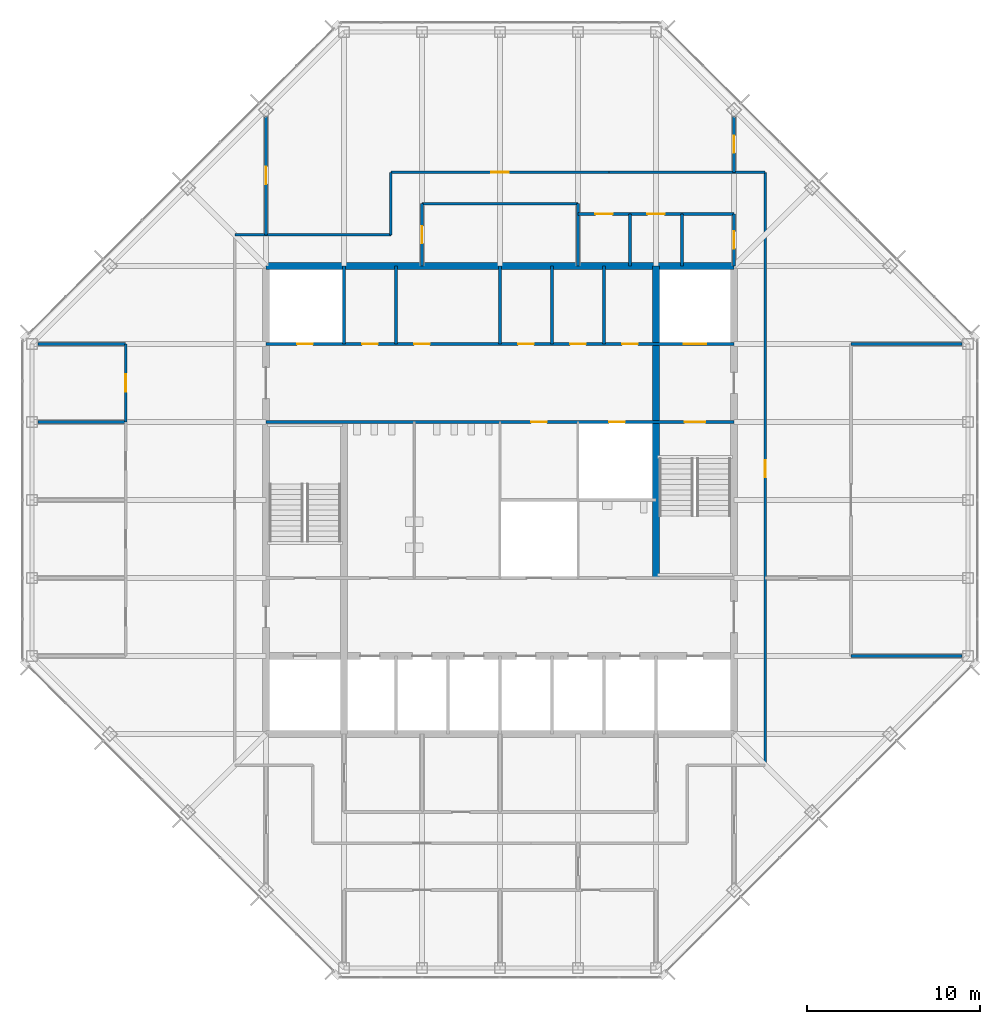
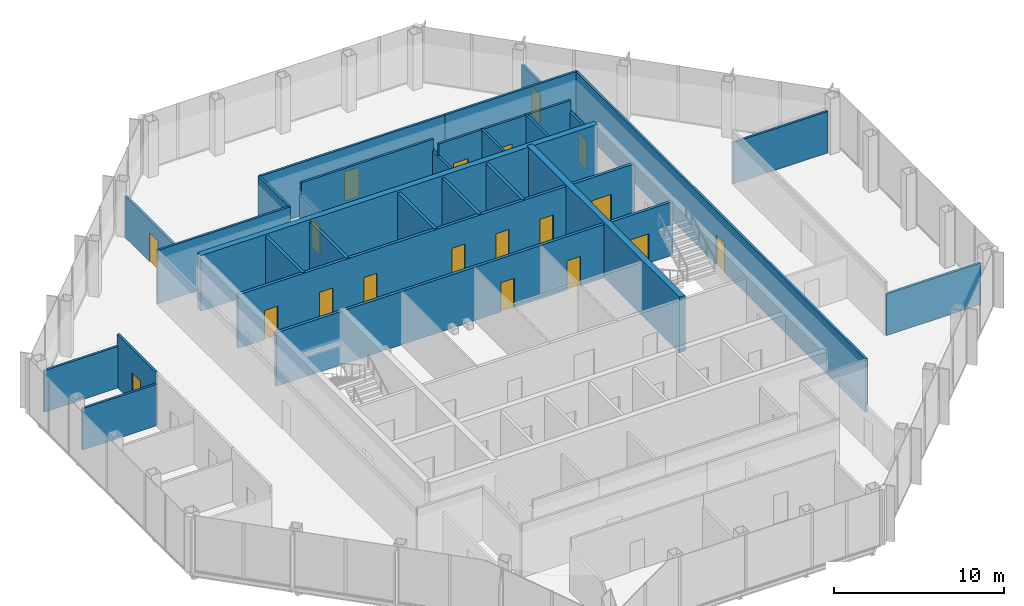
# One storey, part 11 of 14: 30 walls, 19 doors, 19 openings.
"""IFC4 building model written with IfcOpenShell, lengths in metres."""

from ifc_helpers import new_model, si_unit, direction, frame, frame_2d, origin, place, context, subcontext, project, spatial, rectangle, extrude, material, layer, layer_set, type_object, element, fill, save


model = new_model("IFC4")

# Units and contexts
model_context = context("Model", 3, precision=1e-05, world=origin(), true_north=direction((0.0, 1.0)))
body_context = subcontext(model_context, "Body", "Model", "MODEL_VIEW")
ifc_project = project(units=[si_unit("LENGTHUNIT", "METRE"), si_unit("AREAUNIT", "SQUARE_METRE"), si_unit("VOLUMEUNIT", "CUBIC_METRE"), si_unit("PLANEANGLEUNIT", "RADIAN"), si_unit("MASSUNIT", "GRAM", prefix="KILO")], contexts=[model_context])

# Site, building, storey
site_placement = place(None, origin())
site = spatial("IfcSite", under=ifc_project, at=site_placement, CompositionType="ELEMENT")
building_placement = place(site_placement, origin())
building = spatial("IfcBuilding", under=site, at=building_placement, Name="Corais Broadcast Tower", CompositionType="ELEMENT")
storey_placement = place(building_placement, frame((0.0, 0.0, 234.60009765625)))
storey = spatial("IfcBuildingStorey", under=building, at=storey_placement, Name="L54", CompositionType="ELEMENT", Elevation=234.60009765625)

# Wall
ifc_material_1 = material(Name="Concrete blockwork class A, grouted, two-hour", Category="masonry")
ifc_layer_1 = layer(ifc_material_1, 0.199951171875)
ifc_layer_set_1 = layer_set([ifc_layer_1], Name="Concrete blockwork class A, grouted, two-hour")
wall_type_1 = type_object("IfcWallType", Name="Core lobby wall 200", PredefinedType="SOLIDWALL", material=ifc_layer_set_1)
wall_1_placement = place(storey_placement, frame((18.0, 36.0, 0.0), z_axis=(0.0, 0.0, 1.0), x_axis=(0.0, 1.0, 0.0)))
element("IfcWall", 1, at=wall_1_placement, inside=storey, type_object=wall_type_1, Name="CL3 core shaft wall X18B L54", PredefinedType="SOLIDWALL", context=body_context, shape_type="SweptSolid", body=[
    extrude(rectangle(XDim=4.5, YDim=0.199951171875, at=frame_2d((2.25, 0.0))), origin(), (0.0, 0.0, 1.0), 3.83984375),
])

# Wall, openings, doors
wall_2_placement = place(storey_placement, frame((13.5, 31.5, 0.0), z_axis=(0.0, 0.0, 1.0), x_axis=(1.0, 0.0, 0.0)))
wall_2 = element("IfcWall", 2, at=wall_2_placement, inside=storey, type_object=wall_type_1, Name="CL3 core lobby wall Y315 L54", PredefinedType="SOLIDWALL", context=body_context, shape_type="SweptSolid", body=[
    extrude(rectangle(XDim=27.0, YDim=0.199951171875, at=frame_2d((13.5, 0.0))), origin(), (0.0, 0.0, 1.0), 3.83984375),
])
opening_1_placement = place(wall_2_placement, frame((24.14990234375, 0.0, 0.0)))
opening_1 = element("IfcOpeningElement", 3, at=opening_1_placement, cuts=wall_2, Name="Opening FD1", PredefinedType="OPENING", context=body_context, shape_type="SweptSolid", body=[
    extrude(rectangle(XDim=1.199951171875, YDim=2.10009765625, at=frame_2d((0.60009765625, 1.050048828125))), frame((0.0, 0.10986328125, 0.0), z_axis=(0.0, -1.0, 0.0), x_axis=(1.0, 0.0, 0.0)), (0.0, 0.0, 1.0), 0.219970703125),
])
opening_2_placement = place(wall_2_placement, frame((15.300048828125, 0.0, 0.0)))
opening_2 = element("IfcOpeningElement", 4, at=opening_2_placement, cuts=wall_2, Name="Opening RD1", PredefinedType="OPENING", context=body_context, shape_type="SweptSolid", body=[
    extrude(rectangle(XDim=0.89990234375, YDim=2.10009765625, at=frame_2d((0.449951171875, 1.050048828125))), frame((0.0, 0.10986328125, 0.0), z_axis=(0.0, -1.0, 0.0), x_axis=(1.0, 0.0, 0.0)), (0.0, 0.0, 1.0), 0.219970703125),
])
opening_3_placement = place(wall_2_placement, frame((19.800048828125, 0.0, 0.0)))
opening_3 = element("IfcOpeningElement", 5, at=opening_3_placement, cuts=wall_2, Name="Opening RD1", PredefinedType="OPENING", context=body_context, shape_type="SweptSolid", body=[
    extrude(rectangle(XDim=0.89990234375, YDim=2.10009765625, at=frame_2d((0.449951171875, 1.050048828125))), frame((0.0, 0.10986328125, 0.0), z_axis=(0.0, -1.0, 0.0), x_axis=(1.0, 0.0, 0.0)), (0.0, 0.0, 1.0), 0.219970703125),
])
ifc_material_2 = material(Name="Steel fire door", Category="steel")
door_type_1 = type_object("IfcDoorType", Name="Fire door 1200x2100", OperationType="SINGLE_SWING_LEFT", PredefinedType="DOOR", material=ifc_material_2)
door_1_placement = place(opening_1_placement, origin())
door_1 = element("IfcDoor", 6, at=door_1_placement, inside=storey, type_object=door_type_1, Name="FD1 stair B door L54", OperationType="SINGLE_SWING_RIGHT", OverallHeight=2.10009765625, OverallWidth=1.199951171875, PredefinedType="DOOR", context=body_context, shape_type="SweptSolid", body=[
    extrude(rectangle(XDim=1.199951171875, YDim=2.10009765625, at=frame_2d((0.60009765625, 1.050048828125))), frame((0.0, 0.02490234375, 0.0), z_axis=(0.0, -1.0, 0.0), x_axis=(1.0, 0.0, 0.0)), (0.0, 0.0, 1.0), 0.050048828125),
])
fill(opening_1, door_1)
ifc_material_3 = material(Name="Steel fire door", Category="steel")
door_type_2 = type_object("IfcDoorType", Name="Riser door 900x2100", OperationType="SINGLE_SWING_LEFT", PredefinedType="DOOR", material=ifc_material_3)
door_2_placement = place(opening_2_placement, origin())
door_2 = element("IfcDoor", 7, at=door_2_placement, inside=storey, type_object=door_type_2, Name="RD1 vending room door L54", OperationType="SINGLE_SWING_RIGHT", OverallHeight=2.10009765625, OverallWidth=0.89990234375, PredefinedType="DOOR", context=body_context, shape_type="SweptSolid", body=[
    extrude(rectangle(XDim=0.89990234375, YDim=2.10009765625, at=frame_2d((0.449951171875, 1.050048828125))), frame((0.0, 0.02490234375, 0.0), z_axis=(0.0, -1.0, 0.0), x_axis=(1.0, 0.0, 0.0)), (0.0, 0.0, 1.0), 0.050048828125),
])
fill(opening_2, door_2)
door_3_placement = place(opening_3_placement, origin())
door_3 = element("IfcDoor", 8, at=door_3_placement, inside=storey, type_object=door_type_2, Name="RD1 riser door L54", OperationType="SINGLE_SWING_RIGHT", OverallHeight=2.10009765625, OverallWidth=0.89990234375, PredefinedType="DOOR", context=body_context, shape_type="SweptSolid", body=[
    extrude(rectangle(XDim=0.89990234375, YDim=2.10009765625, at=frame_2d((0.449951171875, 1.050048828125))), frame((0.0, 0.02490234375, 0.0), z_axis=(0.0, -1.0, 0.0), x_axis=(1.0, 0.0, 0.0)), (0.0, 0.0, 1.0), 0.050048828125),
])
fill(opening_3, door_3)

# Walls
ifc_material_4 = material(Name="Concrete C50/60", Category="concrete")
ifc_layer_2 = layer(ifc_material_4, 0.39990234375)
ifc_layer_set_2 = layer_set([ifc_layer_2], Name="Concrete C50/60")
wall_type_2 = type_object("IfcWallType", Name="Core wall 400", PredefinedType="SHEAR", material=ifc_layer_set_2)
wall_3_placement = place(storey_placement, frame((40.5, 40.5, 0.0), z_axis=(0.0, 0.0, 1.0), x_axis=(-1.0, 0.0, 0.0)))
element("IfcWall", 9, at=wall_3_placement, inside=storey, type_object=wall_type_2, Name="CR400 core wall N L54", PredefinedType="SHEAR", context=body_context, shape_type="SweptSolid", body=[
    extrude(rectangle(XDim=27.0, YDim=0.39990234375, at=frame_2d((13.5, 0.0))), origin(), (0.0, 0.0, 1.0), 4.0),
])
wall_4_placement = place(storey_placement, frame((36.0, 22.5, 0.0), z_axis=(0.0, 0.0, 1.0), x_axis=(0.0, 1.0, 0.0)))
element("IfcWall", 10, at=wall_4_placement, inside=storey, type_object=wall_type_2, Name="CR400 core wall X36B L54", PredefinedType="SHEAR", context=body_context, shape_type="SweptSolid", body=[
    extrude(rectangle(XDim=18.0, YDim=0.39990234375, at=frame_2d((9.0, 0.0))), origin(), (0.0, 0.0, 1.0), 4.0),
])

# Wall, openings, doors
ifc_material_5 = material(Name="Concrete blockwork class A, grouted, four-hour", Category="masonry")
ifc_layer_3 = layer(ifc_material_5, 0.199951171875)
ifc_layer_set_3 = layer_set([ifc_layer_3], Name="Concrete blockwork class A, grouted, four-hour")
wall_type_3 = type_object("IfcWallType", Name="Emergency lift shaft wall 200", PredefinedType="SOLIDWALL", material=ifc_layer_set_3)
wall_5_placement = place(storey_placement, frame((13.5, 36.0, 0.0), z_axis=(0.0, 0.0, 1.0), x_axis=(1.0, 0.0, 0.0)))
wall_5 = element("IfcWall", 11, at=wall_5_placement, inside=storey, type_object=wall_type_3, Name="LS3 core lobby wall Y36 L54", PredefinedType="SOLIDWALL", context=body_context, shape_type="SweptSolid", body=[
    extrude(rectangle(XDim=27.0, YDim=0.199951171875, at=frame_2d((13.5, 0.0))), origin(), (0.0, 0.0, 1.0), 3.83984375),
])
opening_4_placement = place(wall_5_placement, frame((1.800048828125, 0.0, 0.0)))
opening_4 = element("IfcOpeningElement", 12, at=opening_4_placement, cuts=wall_5, Name="Opening RD1", PredefinedType="OPENING", context=body_context, shape_type="SweptSolid", body=[
    extrude(rectangle(XDim=0.89990234375, YDim=2.10009765625, at=frame_2d((0.449951171875, 1.050048828125))), frame((0.0, 0.10986328125, 0.0), z_axis=(0.0, -1.0, 0.0), x_axis=(1.0, 0.0, 0.0)), (0.0, 0.0, 1.0), 0.219970703125),
])
opening_5_placement = place(wall_5_placement, frame((5.550048828125, 0.0, 0.0)))
opening_5 = element("IfcOpeningElement", 13, at=opening_5_placement, cuts=wall_5, Name="Opening RD1", PredefinedType="OPENING", context=body_context, shape_type="SweptSolid", body=[
    extrude(rectangle(XDim=0.89990234375, YDim=2.10009765625, at=frame_2d((0.449951171875, 1.050048828125))), frame((0.0, 0.10986328125, 0.0), z_axis=(0.0, -1.0, 0.0), x_axis=(1.0, 0.0, 0.0)), (0.0, 0.0, 1.0), 0.219970703125),
])
opening_6_placement = place(wall_5_placement, frame((8.550048828125, 0.0, 0.0)))
opening_6 = element("IfcOpeningElement", 14, at=opening_6_placement, cuts=wall_5, Name="Opening RD1", PredefinedType="OPENING", context=body_context, shape_type="SweptSolid", body=[
    extrude(rectangle(XDim=0.89990234375, YDim=2.10009765625, at=frame_2d((0.449951171875, 1.050048828125))), frame((0.0, 0.10986328125, 0.0), z_axis=(0.0, -1.0, 0.0), x_axis=(1.0, 0.0, 0.0)), (0.0, 0.0, 1.0), 0.219970703125),
])
opening_7_placement = place(wall_5_placement, frame((14.550048828125, 0.0, 0.0)))
opening_7 = element("IfcOpeningElement", 15, at=opening_7_placement, cuts=wall_5, Name="Opening RD1", PredefinedType="OPENING", context=body_context, shape_type="SweptSolid", body=[
    extrude(rectangle(XDim=0.89990234375, YDim=2.10009765625, at=frame_2d((0.449951171875, 1.050048828125))), frame((0.0, 0.10986328125, 0.0), z_axis=(0.0, -1.0, 0.0), x_axis=(1.0, 0.0, 0.0)), (0.0, 0.0, 1.0), 0.219970703125),
])
opening_8_placement = place(wall_5_placement, frame((17.550048828125, 0.0, 0.0)))
opening_8 = element("IfcOpeningElement", 16, at=opening_8_placement, cuts=wall_5, Name="Opening RD1", PredefinedType="OPENING", context=body_context, shape_type="SweptSolid", body=[
    extrude(rectangle(XDim=0.89990234375, YDim=2.10009765625, at=frame_2d((0.449951171875, 1.050048828125))), frame((0.0, 0.10986328125, 0.0), z_axis=(0.0, -1.0, 0.0), x_axis=(1.0, 0.0, 0.0)), (0.0, 0.0, 1.0), 0.219970703125),
])
opening_9_placement = place(wall_5_placement, frame((20.550048828125, 0.0, 0.0)))
opening_9 = element("IfcOpeningElement", 17, at=opening_9_placement, cuts=wall_5, Name="Opening RD1", PredefinedType="OPENING", context=body_context, shape_type="SweptSolid", body=[
    extrude(rectangle(XDim=0.89990234375, YDim=2.10009765625, at=frame_2d((0.449951171875, 1.050048828125))), frame((0.0, 0.10986328125, 0.0), z_axis=(0.0, -1.0, 0.0), x_axis=(1.0, 0.0, 0.0)), (0.0, 0.0, 1.0), 0.219970703125),
])
opening_10_placement = place(wall_5_placement, frame((24.10009765625, 0.0, 0.0)))
opening_10 = element("IfcOpeningElement", 18, at=opening_10_placement, cuts=wall_5, Name="Opening LD2", PredefinedType="OPENING", context=body_context, shape_type="SweptSolid", body=[
    extrude(rectangle(XDim=1.300048828125, YDim=2.199951171875, at=frame_2d((0.64990234375, 1.10009765625))), frame((0.0, 0.10986328125, 0.0), z_axis=(0.0, -1.0, 0.0), x_axis=(1.0, 0.0, 0.0)), (0.0, 0.0, 1.0), 0.219970703125),
])
ifc_material_6 = material(Name="Stainless steel lift door", Category="steel")
door_type_3 = type_object("IfcDoorType", Name="Lift landing door 1300x2200", OperationType="SLIDING_TO_LEFT", PredefinedType="DOOR", material=ifc_material_6)
door_4_placement = place(opening_10_placement, origin())
door_4 = element("IfcDoor", 19, at=door_4_placement, inside=storey, type_object=door_type_3, Name="LD2 FL2 landing door L54", OperationType="SLIDING_TO_LEFT", OverallHeight=2.199951171875, OverallWidth=1.300048828125, PredefinedType="DOOR", context=body_context, shape_type="SweptSolid", body=[
    extrude(rectangle(XDim=1.300048828125, YDim=2.199951171875, at=frame_2d((0.64990234375, 1.10009765625))), frame((0.0, 0.02490234375, 0.0), z_axis=(0.0, -1.0, 0.0), x_axis=(1.0, 0.0, 0.0)), (0.0, 0.0, 1.0), 0.050048828125),
])
fill(opening_10, door_4)
door_5_placement = place(opening_4_placement, origin())
door_5 = element("IfcDoor", 20, at=door_5_placement, inside=storey, type_object=door_type_2, Name="RD1 riser door L54", OperationType="SINGLE_SWING_LEFT", OverallHeight=2.10009765625, OverallWidth=0.89990234375, PredefinedType="DOOR", context=body_context, shape_type="SweptSolid", body=[
    extrude(rectangle(XDim=0.89990234375, YDim=2.10009765625, at=frame_2d((0.449951171875, 1.050048828125))), frame((0.0, 0.02490234375, 0.0), z_axis=(0.0, -1.0, 0.0), x_axis=(1.0, 0.0, 0.0)), (0.0, 0.0, 1.0), 0.050048828125),
])
fill(opening_4, door_5)
door_6_placement = place(opening_5_placement, origin())
door_6 = element("IfcDoor", 21, at=door_6_placement, inside=storey, type_object=door_type_2, Name="RD1 media store door L54", OperationType="SINGLE_SWING_LEFT", OverallHeight=2.10009765625, OverallWidth=0.89990234375, PredefinedType="DOOR", context=body_context, shape_type="SweptSolid", body=[
    extrude(rectangle(XDim=0.89990234375, YDim=2.10009765625, at=frame_2d((0.449951171875, 1.050048828125))), frame((0.0, 0.02490234375, 0.0), z_axis=(0.0, -1.0, 0.0), x_axis=(1.0, 0.0, 0.0)), (0.0, 0.0, 1.0), 0.050048828125),
])
fill(opening_5, door_6)
door_7_placement = place(opening_6_placement, origin())
door_7 = element("IfcDoor", 22, at=door_7_placement, inside=storey, type_object=door_type_2, Name="RD1 tea point door L54", OperationType="SINGLE_SWING_LEFT", OverallHeight=2.10009765625, OverallWidth=0.89990234375, PredefinedType="DOOR", context=body_context, shape_type="SweptSolid", body=[
    extrude(rectangle(XDim=0.89990234375, YDim=2.10009765625, at=frame_2d((0.449951171875, 1.050048828125))), frame((0.0, 0.02490234375, 0.0), z_axis=(0.0, -1.0, 0.0), x_axis=(1.0, 0.0, 0.0)), (0.0, 0.0, 1.0), 0.050048828125),
])
fill(opening_6, door_7)
door_8_placement = place(opening_7_placement, origin())
door_8 = element("IfcDoor", 23, at=door_8_placement, inside=storey, type_object=door_type_2, Name="RD1 locker room door L54", OperationType="SINGLE_SWING_RIGHT", OverallHeight=2.10009765625, OverallWidth=0.89990234375, PredefinedType="DOOR", context=body_context, shape_type="SweptSolid", body=[
    extrude(rectangle(XDim=0.89990234375, YDim=2.10009765625, at=frame_2d((0.449951171875, 1.050048828125))), frame((0.0, 0.02490234375, 0.0), z_axis=(0.0, -1.0, 0.0), x_axis=(1.0, 0.0, 0.0)), (0.0, 0.0, 1.0), 0.050048828125),
])
fill(opening_7, door_8)
door_9_placement = place(opening_8_placement, origin())
door_9 = element("IfcDoor", 24, at=door_9_placement, inside=storey, type_object=door_type_2, Name="RD1 print room door L54", OperationType="SINGLE_SWING_RIGHT", OverallHeight=2.10009765625, OverallWidth=0.89990234375, PredefinedType="DOOR", context=body_context, shape_type="SweptSolid", body=[
    extrude(rectangle(XDim=0.89990234375, YDim=2.10009765625, at=frame_2d((0.449951171875, 1.050048828125))), frame((0.0, 0.02490234375, 0.0), z_axis=(0.0, -1.0, 0.0), x_axis=(1.0, 0.0, 0.0)), (0.0, 0.0, 1.0), 0.050048828125),
])
fill(opening_8, door_9)
door_10_placement = place(opening_9_placement, origin())
door_10 = element("IfcDoor", 25, at=door_10_placement, inside=storey, type_object=door_type_2, Name="RD1 wellness room door L54", OperationType="SINGLE_SWING_RIGHT", OverallHeight=2.10009765625, OverallWidth=0.89990234375, PredefinedType="DOOR", context=body_context, shape_type="SweptSolid", body=[
    extrude(rectangle(XDim=0.89990234375, YDim=2.10009765625, at=frame_2d((0.449951171875, 1.050048828125))), frame((0.0, 0.02490234375, 0.0), z_axis=(0.0, -1.0, 0.0), x_axis=(1.0, 0.0, 0.0)), (0.0, 0.0, 1.0), 0.050048828125),
])
fill(opening_9, door_10)

# Wall, opening, door
ifc_material_7 = material(Name="Gypsum board on steel studs", Category="steel")
ifc_layer_4 = layer(ifc_material_7, 0.14990234375)
ifc_layer_set_4 = layer_set([ifc_layer_4], Name="Gypsum board on steel studs")
wall_type_4 = type_object("IfcWallType", Name="Partition 150", PredefinedType="PARTITIONING", material=ifc_layer_set_4)
wall_6_placement = place(storey_placement, frame((42.300048828125, 11.699951171875, 0.0), z_axis=(0.0, 0.0, 1.0), x_axis=(0.0, 1.0, 0.0)))
wall_6 = element("IfcWall", 26, at=wall_6_placement, inside=storey, type_object=wall_type_4, Name="IW3 corridor wall L54", PredefinedType="PARTITIONING", context=body_context, shape_type="SweptSolid", body=[
    extrude(rectangle(XDim=34.199951171875, YDim=0.14990234375, at=frame_2d((17.10009765625, 0.0))), origin(), (0.0, 0.0, 1.0), 3.83984375),
])
opening_11_placement = place(wall_6_placement, frame((16.60009765625, 0.0, 0.0)))
opening_11 = element("IfcOpeningElement", 27, at=opening_11_placement, cuts=wall_6, Name="Opening D1", PredefinedType="OPENING", context=body_context, shape_type="SweptSolid", body=[
    extrude(rectangle(XDim=1.0, YDim=2.10009765625, at=frame_2d((0.5, 1.050048828125))), frame((0.0, 0.0849609375, 0.0), z_axis=(0.0, -1.0, 0.0), x_axis=(1.0, 0.0, 0.0)), (0.0, 0.0, 1.0), 0.169921875),
])
ifc_material_8 = material(Name="Timber door", Category="wood")
door_type_4 = type_object("IfcDoorType", Name="Single door 1000x2100", OperationType="SINGLE_SWING_LEFT", PredefinedType="DOOR", material=ifc_material_8)
door_11_placement = place(opening_11_placement, origin())
door_11 = element("IfcDoor", 28, at=door_11_placement, inside=storey, type_object=door_type_4, Name="D1 workplace door L54", OperationType="SINGLE_SWING_LEFT", OverallHeight=2.10009765625, OverallWidth=1.0, PredefinedType="DOOR", context=body_context, shape_type="SweptSolid", body=[
    extrude(rectangle(XDim=1.0, YDim=2.10009765625, at=frame_2d((0.5, 1.050048828125))), frame((0.0, 0.02490234375, 0.0), z_axis=(0.0, -1.0, 0.0), x_axis=(1.0, 0.0, 0.0)), (0.0, 0.0, 1.0), 0.050048828125),
])
fill(opening_11, door_11)

wall_7_placement = place(storey_placement, frame((33.300048828125, 45.89990234375, 0.0), z_axis=(0.0, 0.0, 1.0), x_axis=(-1.0, 0.0, 0.0)))
wall_7 = element("IfcWall", 29, at=wall_7_placement, inside=storey, type_object=wall_type_4, Name="IW3 corridor wall L54", PredefinedType="PARTITIONING", context=body_context, shape_type="SweptSolid", body=[
    extrude(rectangle(XDim=12.60009765625, YDim=0.14990234375, at=frame_2d((6.300048828125, 0.0))), origin(), (0.0, 0.0, 1.0), 3.83984375),
])
opening_12_placement = place(wall_7_placement, frame((5.800048828125, 0.0, 0.0)))
opening_12 = element("IfcOpeningElement", 30, at=opening_12_placement, cuts=wall_7, Name="Opening D1", PredefinedType="OPENING", context=body_context, shape_type="SweptSolid", body=[
    extrude(rectangle(XDim=1.0, YDim=2.10009765625, at=frame_2d((0.5, 1.050048828125))), frame((0.0, 0.0849609375, 0.0), z_axis=(0.0, -1.0, 0.0), x_axis=(1.0, 0.0, 0.0)), (0.0, 0.0, 1.0), 0.169921875),
])
door_12_placement = place(opening_12_placement, origin())
door_12 = element("IfcDoor", 31, at=door_12_placement, inside=storey, type_object=door_type_4, Name="D1 workplace door L54", OperationType="SINGLE_SWING_LEFT", OverallHeight=2.10009765625, OverallWidth=1.0, PredefinedType="DOOR", context=body_context, shape_type="SweptSolid", body=[
    extrude(rectangle(XDim=1.0, YDim=2.10009765625, at=frame_2d((0.5, 1.050048828125))), frame((0.0, 0.02490234375, 0.0), z_axis=(0.0, -1.0, 0.0), x_axis=(1.0, 0.0, 0.0)), (0.0, 0.0, 1.0), 0.050048828125),
])
fill(opening_12, door_12)

# Walls
for number, where, z_axis, x_axis, name in (
    (32, (20.699951171875, 42.300048828125, 0.0), (0.0, 0.0, 1.0), (-1.0, 0.0, 0.0), "IW3 corridor wall L54"),
    (33, (42.300048828125, 45.89990234375, 0.0), (0.0, 0.0, 1.0), (-1.0, 0.0, 0.0), "IW3 corridor wall L54"),
):
    element("IfcWall", number, at=place(storey_placement, frame(where, z_axis=z_axis, x_axis=x_axis)), inside=storey, type_object=wall_type_4, Name=name, PredefinedType="PARTITIONING", context=body_context, shape_type="SweptSolid", body=[
        extrude(rectangle(XDim=9.0, YDim=0.14990234375, at=frame_2d((4.5, 0.0))), origin(), (0.0, 0.0, 1.0), 3.83984375),
    ])
wall_8_placement = place(storey_placement, frame((20.699951171875, 45.89990234375, 0.0), z_axis=(0.0, 0.0, 1.0), x_axis=(0.0, -1.0, 0.0)))
element("IfcWall", 34, at=wall_8_placement, inside=storey, type_object=wall_type_4, Name="IW3 corridor wall L54", PredefinedType="PARTITIONING", context=body_context, shape_type="SweptSolid", body=[
    extrude(rectangle(XDim=3.599853515625, YDim=0.14990234375, at=frame_2d((1.7998046875, 0.0))), origin(), (0.0, 0.0, 1.0), 3.83984375),
])
for number, where, z_axis, x_axis, name in (
    (35, (47.25, 18.0, 0.0), (0.0, 0.0, 1.0), (1.0, 0.0, 0.0), "IW3 partition L54"),
    (36, (53.6650390625, 36.0, 0.0), (0.0, 0.0, 1.0), (-1.0, 0.0, 0.0), "IW3 partition L54"),
):
    element("IfcWall", number, at=place(storey_placement, frame(where, z_axis=z_axis, x_axis=x_axis)), inside=storey, type_object=wall_type_4, Name=name, PredefinedType="PARTITIONING", context=body_context, shape_type="SweptSolid", body=[
        extrude(rectangle(XDim=6.4150390625, YDim=0.14990234375, at=frame_2d((3.20751953125, 0.0))), origin(), (0.0, 0.0, 1.0), 2.989013671875),
    ])
wall_9_placement = place(storey_placement, frame((31.5, 40.5, 0.0), z_axis=(0.0, 0.0, 1.0), x_axis=(0.0, 1.0, 0.0)))
element("IfcWall", 37, at=wall_9_placement, inside=storey, type_object=wall_type_4, Name="IW3 partition L54", PredefinedType="PARTITIONING", context=body_context, shape_type="SweptSolid", body=[
    extrude(rectangle(XDim=3.60009765625, YDim=0.14990234375, at=frame_2d((1.800048828125, 0.0))), origin(), (0.0, 0.0, 1.0), 2.989013671875),
])
wall_10_placement = place(storey_placement, frame((31.5, 44.10009765625, 0.0), z_axis=(0.0, 0.0, 1.0), x_axis=(-1.0, 0.0, 0.0)))
element("IfcWall", 38, at=wall_10_placement, inside=storey, type_object=wall_type_4, Name="IW3 partition L54", PredefinedType="PARTITIONING", context=body_context, shape_type="SweptSolid", body=[
    extrude(rectangle(XDim=9.0, YDim=0.14990234375, at=frame_2d((4.5, 0.0))), origin(), (0.0, 0.0, 1.0), 3.83984375),
])

# Wall, opening, door
wall_11_placement = place(storey_placement, frame((22.5, 44.10009765625, 0.0), z_axis=(0.0, 0.0, 1.0), x_axis=(0.0, -1.0, 0.0)))
wall_11 = element("IfcWall", 39, at=wall_11_placement, inside=storey, type_object=wall_type_4, Name="IW3 partition L54", PredefinedType="PARTITIONING", context=body_context, shape_type="SweptSolid", body=[
    extrude(rectangle(XDim=3.60009765625, YDim=0.14990234375, at=frame_2d((1.800048828125, 0.0))), origin(), (0.0, 0.0, 1.0), 2.989013671875),
])
opening_13_placement = place(wall_11_placement, frame((1.300048828125, 0.0, 0.0)))
opening_13 = element("IfcOpeningElement", 40, at=opening_13_placement, cuts=wall_11, Name="Opening D1", PredefinedType="OPENING", context=body_context, shape_type="SweptSolid", body=[
    extrude(rectangle(XDim=1.0, YDim=2.10009765625, at=frame_2d((0.5, 1.050048828125))), frame((0.0, 0.0849609375, 0.0), z_axis=(0.0, -1.0, 0.0), x_axis=(1.0, 0.0, 0.0)), (0.0, 0.0, 1.0), 0.169921875),
])
door_13_placement = place(opening_13_placement, origin())
door_13 = element("IfcDoor", 41, at=door_13_placement, inside=storey, type_object=door_type_4, Name="D1 Pantry door", OperationType="SINGLE_SWING_LEFT", OverallHeight=2.10009765625, OverallWidth=1.0, PredefinedType="DOOR", context=body_context, shape_type="SweptSolid", body=[
    extrude(rectangle(XDim=1.0, YDim=2.10009765625, at=frame_2d((0.5, 1.050048828125))), frame((0.0, 0.02490234375, 0.0), z_axis=(0.0, -1.0, 0.0), x_axis=(1.0, 0.0, 0.0)), (0.0, 0.0, 1.0), 0.050048828125),
])
fill(opening_13, door_13)

# Wall
wall_12_placement = place(storey_placement, frame((5.39990234375, 31.5, 0.0), z_axis=(0.0, 0.0, 1.0), x_axis=(-1.0, 0.0, 0.0)))
element("IfcWall", 42, at=wall_12_placement, inside=storey, type_object=wall_type_4, Name="IW3 partition L54", PredefinedType="PARTITIONING", context=body_context, shape_type="SweptSolid", body=[
    extrude(rectangle(XDim=5.06494140625, YDim=0.14990234375, at=frame_2d((2.532470703125, 0.0))), origin(), (0.0, 0.0, 1.0), 2.989013671875),
])

# Wall, opening, door
wall_13_placement = place(storey_placement, frame((5.39990234375, 31.5, 0.0), z_axis=(0.0, 0.0, 1.0), x_axis=(0.0, 1.0, 0.0)))
wall_13 = element("IfcWall", 43, at=wall_13_placement, inside=storey, type_object=wall_type_4, Name="IW3 partition L54", PredefinedType="PARTITIONING", context=body_context, shape_type="SweptSolid", body=[
    extrude(rectangle(XDim=4.5, YDim=0.14990234375, at=frame_2d((2.25, 0.0))), origin(), (0.0, 0.0, 1.0), 3.83984375),
])
opening_14_placement = place(wall_13_placement, frame((1.75, 0.0, 0.0)))
opening_14 = element("IfcOpeningElement", 44, at=opening_14_placement, cuts=wall_13, Name="Opening D1", PredefinedType="OPENING", context=body_context, shape_type="SweptSolid", body=[
    extrude(rectangle(XDim=1.0, YDim=2.10009765625, at=frame_2d((0.5, 1.050048828125))), frame((0.0, 0.0849609375, 0.0), z_axis=(0.0, -1.0, 0.0), x_axis=(1.0, 0.0, 0.0)), (0.0, 0.0, 1.0), 0.169921875),
])
door_14_placement = place(opening_14_placement, origin())
door_14 = element("IfcDoor", 45, at=door_14_placement, inside=storey, type_object=door_type_4, Name="D1 Focus room door", OperationType="SINGLE_SWING_LEFT", OverallHeight=2.10009765625, OverallWidth=1.0, PredefinedType="DOOR", context=body_context, shape_type="SweptSolid", body=[
    extrude(rectangle(XDim=1.0, YDim=2.10009765625, at=frame_2d((0.5, 1.050048828125))), frame((0.0, 0.02490234375, 0.0), z_axis=(0.0, -1.0, 0.0), x_axis=(1.0, 0.0, 0.0)), (0.0, 0.0, 1.0), 0.050048828125),
])
fill(opening_14, door_14)

# Walls
wall_14_placement = place(storey_placement, frame((5.39990234375, 36.0, 0.0), z_axis=(0.0, 0.0, 1.0), x_axis=(-1.0, 0.0, 0.0)))
element("IfcWall", 46, at=wall_14_placement, inside=storey, type_object=wall_type_4, Name="IW3 partition L54", PredefinedType="PARTITIONING", context=body_context, shape_type="SweptSolid", body=[
    extrude(rectangle(XDim=5.06494140625, YDim=0.14990234375, at=frame_2d((2.532470703125, 0.0))), origin(), (0.0, 0.0, 1.0), 2.989013671875),
])
wall_15_placement = place(storey_placement, frame((34.5, 40.5, 0.0), z_axis=(0.0, 0.0, 1.0), x_axis=(0.0, 1.0, 0.0)))
element("IfcWall", 47, at=wall_15_placement, inside=storey, type_object=wall_type_4, Name="IW3 partition L54", PredefinedType="PARTITIONING", context=body_context, shape_type="SweptSolid", body=[
    extrude(rectangle(XDim=3.0, YDim=0.14990234375, at=frame_2d((1.5, 0.0))), origin(), (0.0, 0.0, 1.0), 3.83984375),
])

# Wall, opening, door
wall_16_placement = place(storey_placement, frame((34.5, 43.5, 0.0), z_axis=(0.0, 0.0, 1.0), x_axis=(-1.0, 0.0, 0.0)))
wall_16 = element("IfcWall", 48, at=wall_16_placement, inside=storey, type_object=wall_type_4, Name="IW3 partition L54", PredefinedType="PARTITIONING", context=body_context, shape_type="SweptSolid", body=[
    extrude(rectangle(XDim=3.0, YDim=0.14990234375, at=frame_2d((1.5, 0.0))), origin(), (0.0, 0.0, 1.0), 3.83984375),
])
opening_15_placement = place(wall_16_placement, frame((1.0, 0.0, 0.0)))
opening_15 = element("IfcOpeningElement", 49, at=opening_15_placement, cuts=wall_16, Name="Opening D1", PredefinedType="OPENING", context=body_context, shape_type="SweptSolid", body=[
    extrude(rectangle(XDim=1.0, YDim=2.10009765625, at=frame_2d((0.5, 1.050048828125))), frame((0.0, 0.0849609375, 0.0), z_axis=(0.0, -1.0, 0.0), x_axis=(1.0, 0.0, 0.0)), (0.0, 0.0, 1.0), 0.169921875),
])
door_15_placement = place(opening_15_placement, origin())
door_15 = element("IfcDoor", 50, at=door_15_placement, inside=storey, type_object=door_type_4, Name="D1 Quiet room door", OperationType="SINGLE_SWING_LEFT", OverallHeight=2.10009765625, OverallWidth=1.0, PredefinedType="DOOR", context=body_context, shape_type="SweptSolid", body=[
    extrude(rectangle(XDim=1.0, YDim=2.10009765625, at=frame_2d((0.5, 1.050048828125))), frame((0.0, 0.02490234375, 0.0), z_axis=(0.0, -1.0, 0.0), x_axis=(1.0, 0.0, 0.0)), (0.0, 0.0, 1.0), 0.050048828125),
])
fill(opening_15, door_15)

# Wall
wall_17_placement = place(storey_placement, frame((37.5, 40.5, 0.0), z_axis=(0.0, 0.0, 1.0), x_axis=(0.0, 1.0, 0.0)))
element("IfcWall", 51, at=wall_17_placement, inside=storey, type_object=wall_type_4, Name="IW3 partition L54", PredefinedType="PARTITIONING", context=body_context, shape_type="SweptSolid", body=[
    extrude(rectangle(XDim=3.0, YDim=0.14990234375, at=frame_2d((1.5, 0.0))), origin(), (0.0, 0.0, 1.0), 3.83984375),
])

# Wall, opening, door
wall_18_placement = place(storey_placement, frame((37.5, 43.5, 0.0), z_axis=(0.0, 0.0, 1.0), x_axis=(-1.0, 0.0, 0.0)))
wall_18 = element("IfcWall", 52, at=wall_18_placement, inside=storey, type_object=wall_type_4, Name="IW3 partition L54", PredefinedType="PARTITIONING", context=body_context, shape_type="SweptSolid", body=[
    extrude(rectangle(XDim=3.0, YDim=0.14990234375, at=frame_2d((1.5, 0.0))), origin(), (0.0, 0.0, 1.0), 3.83984375),
])
opening_16_placement = place(wall_18_placement, frame((1.0, 0.0, 0.0)))
opening_16 = element("IfcOpeningElement", 53, at=opening_16_placement, cuts=wall_18, Name="Opening D1", PredefinedType="OPENING", context=body_context, shape_type="SweptSolid", body=[
    extrude(rectangle(XDim=1.0, YDim=2.10009765625, at=frame_2d((0.5, 1.050048828125))), frame((0.0, 0.0849609375, 0.0), z_axis=(0.0, -1.0, 0.0), x_axis=(1.0, 0.0, 0.0)), (0.0, 0.0, 1.0), 0.169921875),
])
door_16_placement = place(opening_16_placement, origin())
door_16 = element("IfcDoor", 54, at=door_16_placement, inside=storey, type_object=door_type_4, Name="D1 Quiet room door", OperationType="SINGLE_SWING_LEFT", OverallHeight=2.10009765625, OverallWidth=1.0, PredefinedType="DOOR", context=body_context, shape_type="SweptSolid", body=[
    extrude(rectangle(XDim=1.0, YDim=2.10009765625, at=frame_2d((0.5, 1.050048828125))), frame((0.0, 0.02490234375, 0.0), z_axis=(0.0, -1.0, 0.0), x_axis=(1.0, 0.0, 0.0)), (0.0, 0.0, 1.0), 0.050048828125),
])
fill(opening_16, door_16)

wall_19_placement = place(storey_placement, frame((40.5, 40.5, 0.0), z_axis=(0.0, 0.0, 1.0), x_axis=(0.0, 1.0, 0.0)))
wall_19 = element("IfcWall", 55, at=wall_19_placement, inside=storey, type_object=wall_type_4, Name="IW3 partition L54", PredefinedType="PARTITIONING", context=body_context, shape_type="SweptSolid", body=[
    extrude(rectangle(XDim=3.0, YDim=0.14990234375, at=frame_2d((1.5, 0.0))), origin(), (0.0, 0.0, 1.0), 2.989013671875),
])
opening_17_placement = place(wall_19_placement, frame((1.0, 0.0, 0.0)))
opening_17 = element("IfcOpeningElement", 56, at=opening_17_placement, cuts=wall_19, Name="Opening D1", PredefinedType="OPENING", context=body_context, shape_type="SweptSolid", body=[
    extrude(rectangle(XDim=1.0, YDim=2.10009765625, at=frame_2d((0.5, 1.050048828125))), frame((0.0, 0.0849609375, 0.0), z_axis=(0.0, -1.0, 0.0), x_axis=(1.0, 0.0, 0.0)), (0.0, 0.0, 1.0), 0.169921875),
])
door_17_placement = place(opening_17_placement, origin())
door_17 = element("IfcDoor", 57, at=door_17_placement, inside=storey, type_object=door_type_4, Name="D1 Quiet room door", OperationType="SINGLE_SWING_LEFT", OverallHeight=2.10009765625, OverallWidth=1.0, PredefinedType="DOOR", context=body_context, shape_type="SweptSolid", body=[
    extrude(rectangle(XDim=1.0, YDim=2.10009765625, at=frame_2d((0.5, 1.050048828125))), frame((0.0, 0.02490234375, 0.0), z_axis=(0.0, -1.0, 0.0), x_axis=(1.0, 0.0, 0.0)), (0.0, 0.0, 1.0), 0.050048828125),
])
fill(opening_17, door_17)

# Wall
wall_20_placement = place(storey_placement, frame((40.5, 43.5, 0.0), z_axis=(0.0, 0.0, 1.0), x_axis=(-1.0, 0.0, 0.0)))
element("IfcWall", 58, at=wall_20_placement, inside=storey, type_object=wall_type_4, Name="IW3 partition L54", PredefinedType="PARTITIONING", context=body_context, shape_type="SweptSolid", body=[
    extrude(rectangle(XDim=3.0, YDim=0.14990234375, at=frame_2d((1.5, 0.0))), origin(), (0.0, 0.0, 1.0), 3.83984375),
])

# Wall, opening, door
wall_21_placement = place(storey_placement, frame((40.5, 49.155029296875, 0.0), z_axis=(0.0, 0.0, 1.0), x_axis=(0.0, -1.0, 0.0)))
wall_21 = element("IfcWall", 59, at=wall_21_placement, inside=storey, type_object=wall_type_4, Name="IW3 partition L54", PredefinedType="PARTITIONING", context=body_context, shape_type="SweptSolid", body=[
    extrude(rectangle(XDim=3.255126953125, YDim=0.14990234375, at=frame_2d((1.62744140625, 0.0))), origin(), (0.0, 0.0, 1.0), 2.989013671875),
])
opening_18_placement = place(wall_21_placement, frame((1.12744140625, 0.0, 0.0)))
opening_18 = element("IfcOpeningElement", 60, at=opening_18_placement, cuts=wall_21, Name="Opening D1", PredefinedType="OPENING", context=body_context, shape_type="SweptSolid", body=[
    extrude(rectangle(XDim=1.0, YDim=2.10009765625, at=frame_2d((0.5, 1.050048828125))), frame((0.0, 0.0849609375, 0.0), z_axis=(0.0, -1.0, 0.0), x_axis=(1.0, 0.0, 0.0)), (0.0, 0.0, 1.0), 0.169921875),
])
door_18_placement = place(opening_18_placement, origin())
door_18 = element("IfcDoor", 61, at=door_18_placement, inside=storey, type_object=door_type_4, Name="D1 team room door L54", OperationType="SINGLE_SWING_LEFT", OverallHeight=2.10009765625, OverallWidth=1.0, PredefinedType="DOOR", context=body_context, shape_type="SweptSolid", body=[
    extrude(rectangle(XDim=1.0, YDim=2.10009765625, at=frame_2d((0.5, 1.050048828125))), frame((0.0, 0.02490234375, 0.0), z_axis=(0.0, -1.0, 0.0), x_axis=(1.0, 0.0, 0.0)), (0.0, 0.0, 1.0), 0.050048828125),
])
fill(opening_18, door_18)

wall_22_placement = place(storey_placement, frame((13.5, 42.300048828125, 0.0), z_axis=(0.0, 0.0, 1.0), x_axis=(0.0, 1.0, 0.0)))
wall_22 = element("IfcWall", 62, at=wall_22_placement, inside=storey, type_object=wall_type_4, Name="IW3 partition L54", PredefinedType="PARTITIONING", context=body_context, shape_type="SweptSolid", body=[
    extrude(rectangle(XDim=6.85498046875, YDim=0.14990234375, at=frame_2d((3.427490234375, 0.0))), origin(), (0.0, 0.0, 1.0), 2.989013671875),
])
opening_19_placement = place(wall_22_placement, frame((2.927490234375, 0.0, 0.0)))
opening_19 = element("IfcOpeningElement", 63, at=opening_19_placement, cuts=wall_22, Name="Opening D1", PredefinedType="OPENING", context=body_context, shape_type="SweptSolid", body=[
    extrude(rectangle(XDim=1.0, YDim=2.10009765625, at=frame_2d((0.5, 1.050048828125))), frame((0.0, 0.0849609375, 0.0), z_axis=(0.0, -1.0, 0.0), x_axis=(1.0, 0.0, 0.0)), (0.0, 0.0, 1.0), 0.169921875),
])
door_19_placement = place(opening_19_placement, origin())
door_19 = element("IfcDoor", 64, at=door_19_placement, inside=storey, type_object=door_type_4, Name="D1 team room door L54", OperationType="SINGLE_SWING_LEFT", OverallHeight=2.10009765625, OverallWidth=1.0, PredefinedType="DOOR", context=body_context, shape_type="SweptSolid", body=[
    extrude(rectangle(XDim=1.0, YDim=2.10009765625, at=frame_2d((0.5, 1.050048828125))), frame((0.0, 0.02490234375, 0.0), z_axis=(0.0, -1.0, 0.0), x_axis=(1.0, 0.0, 0.0)), (0.0, 0.0, 1.0), 0.050048828125),
])
fill(opening_19, door_19)

# Walls
ifc_material_9 = material(Name="Concrete blockwork class A, grouted, two-hour", Category="masonry")
ifc_layer_5 = layer(ifc_material_9, 0.199951171875)
ifc_layer_set_5 = layer_set([ifc_layer_5], Name="Concrete blockwork class A, grouted, two-hour")
wall_type_5 = type_object("IfcWallType", Name="Shaft wall 200", PredefinedType="PARTITIONING", material=ifc_layer_set_5)
for number, where, z_axis, x_axis, name in (
    (65, (21.0, 36.0, 0.0), (0.0, 0.0, 1.0), (0.0, 1.0, 0.0), "IW1 shaft wall L54"),
    (66, (27.0, 36.0, 0.0), (0.0, 0.0, 1.0), (0.0, 1.0, 0.0), "IW1 shaft wall L54"),
    (67, (30.0, 36.0, 0.0), (0.0, 0.0, 1.0), (0.0, 1.0, 0.0), "IW1 shaft wall L54"),
    (68, (33.0, 36.0, 0.0), (0.0, 0.0, 1.0), (0.0, 1.0, 0.0), "IW1 shaft wall L54"),
):
    element("IfcWall", number, at=place(storey_placement, frame(where, z_axis=z_axis, x_axis=x_axis)), inside=storey, type_object=wall_type_5, Name=name, PredefinedType="PARTITIONING", context=body_context, shape_type="SweptSolid", body=[
        extrude(rectangle(XDim=4.5, YDim=0.199951171875, at=frame_2d((2.25, 0.0))), origin(), (0.0, 0.0, 1.0), 3.83984375),
    ])

save(model, "model.ifc")
